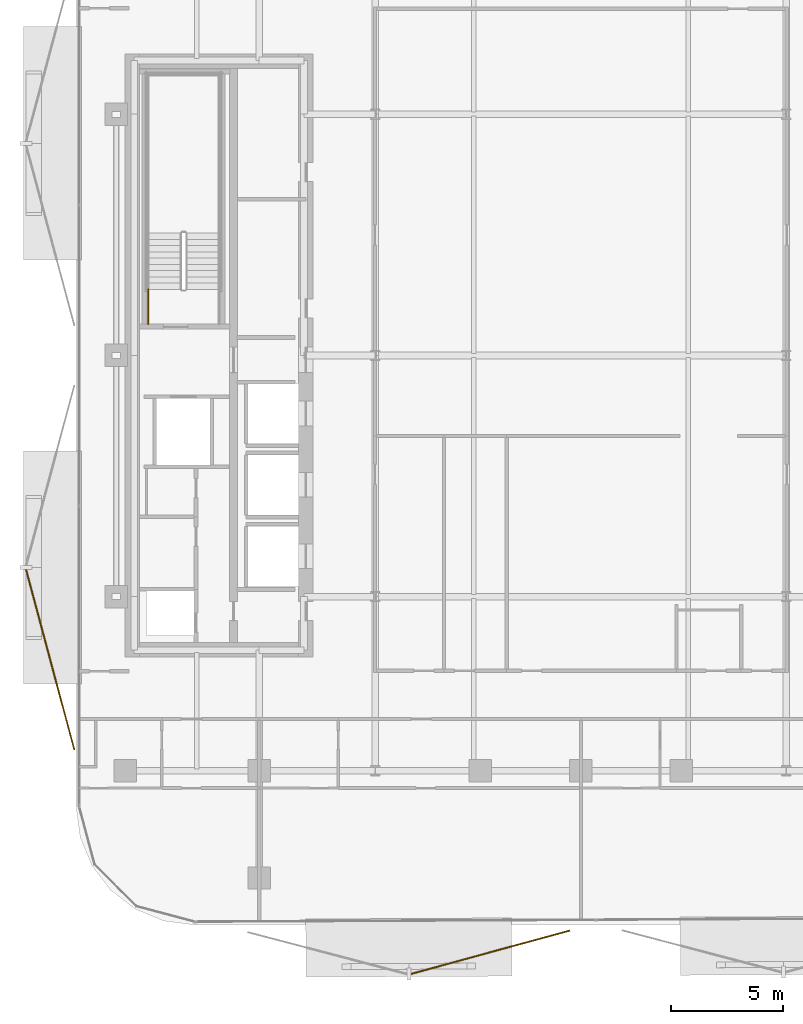
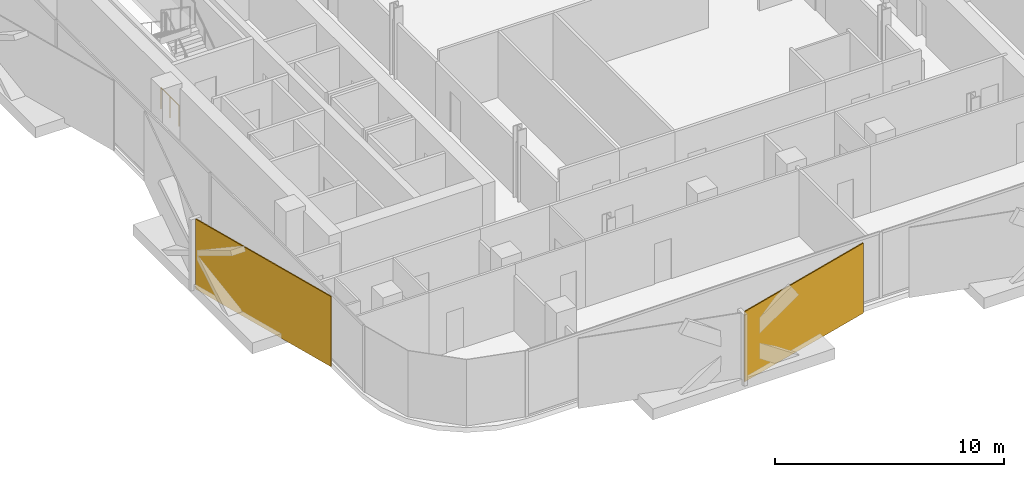
# One storey, part 13 of 17: 2 coverings, 1 railing.
"""IFC4 building model written with IfcOpenShell, lengths in metres."""

from ifc_helpers import new_model, si_unit, direction, frame, origin, origin_2d, place, context, subcontext, project, spatial, rectangle, circle, extrude, material, layer, layer_set, type_object, element, save


model = new_model("IFC4")

# Units and contexts
model_context = context("Model", 3, precision=1e-05, world=origin(), true_north=direction((0.0, 1.0)))
body_context = subcontext(model_context, "Body", "Model", "MODEL_VIEW")
ifc_project = project(units=[si_unit("LENGTHUNIT", "METRE"), si_unit("AREAUNIT", "SQUARE_METRE"), si_unit("VOLUMEUNIT", "CUBIC_METRE"), si_unit("PLANEANGLEUNIT", "RADIAN"), si_unit("MASSUNIT", "GRAM", prefix="KILO")], contexts=[model_context])

# Site, building, storey
site_placement = place(None, origin())
site = spatial("IfcSite", under=ifc_project, at=site_placement, CompositionType="ELEMENT")
building_placement = place(site_placement, origin())
building = spatial("IfcBuilding", under=site, at=building_placement, Name="Khairoan Windgate Tower", CompositionType="ELEMENT")
storey_placement = place(building_placement, frame((0.0, 0.0, 165.0)))
storey = spatial("IfcBuildingStorey", under=building, at=storey_placement, Name="L37", CompositionType="ELEMENT", Elevation=165.0)

# Coverings
ifc_material_1 = material(Name="Anodised Bronze Aluminium 6063-T6", Category="aluminium")
ifc_layer = layer(ifc_material_1, 0.054931640625, Name="Anodised Bronze Aluminium 6063-T6")
ifc_layer_set = layer_set([ifc_layer], Name="Anodised Bronze Aluminium 6063-T6")
covering_type = type_object("IfcCoveringType", Name="Perforated Bronze-Ceramic Folded Solar Screen Cladding BSC-1", PredefinedType="CLADDING", material=ifc_layer_set)
covering_1_placement = place(storey_placement, frame((-4.050048828125, -26.72021484375, -0.10009765625), z_axis=(0.0, 0.0, 1.0), x_axis=(-0.964649468762, -0.263536339841, 0.0)))
element("IfcCovering", 1, at=covering_1_placement, inside=storey, type_object=covering_type, Name="L37 Folded Bronze Solar Screen Facet 234L", PredefinedType="CLADDING", context=body_context, shape_type="SweptSolid", body=[
    extrude(rectangle(XDim=7.3759765625, YDim=0.054931640625, at=origin_2d()), origin(), (0.0, 0.0, 1.0), 3.739990234375),
])
covering_2_placement = place(storey_placement, frame((-23.7587890625, -13.62109375, -0.10009765625), z_axis=(0.0, 0.0, 1.0), x_axis=(-0.258819045103, 0.965925826289, 0.0)))
element("IfcCovering", 2, at=covering_2_placement, inside=storey, type_object=covering_type, Name="L37 Folded Bronze Solar Screen Facet 235L", PredefinedType="CLADDING", context=body_context, shape_type="SweptSolid", body=[
    extrude(rectangle(XDim=8.35595703125, YDim=0.054931640625, at=origin_2d()), origin(), (0.0, 0.0, 1.0), 3.739990234375),
])

# Railing
ifc_material_2 = material(Name="Steel S355", Category="steel")
railing_type = type_object("IfcRailingType", Name="Stairwell Safety Guardrail SGR-1150", PredefinedType="GUARDRAIL", material=ifc_material_2)
railing_placement = place(storey_placement, frame((-19.3701171875, 1.39990234375, 0.0)))
element("IfcRailing", 3, at=railing_placement, inside=storey, type_object=railing_type, Name="L37 ST2 stair guard 9", PredefinedType="GUARDRAIL", context=body_context, shape_type="SweptSolid", body=[
    extrude(circle(Radius=0.02392578125, at=origin_2d()), frame((0.0, 0.0, 1.1259765625), z_axis=(0.0, 1.0, 0.0), x_axis=(-1.0, 0.0, 0.0)), (0.0, 0.0, 1.0), 1.56005859375),
    extrude(circle(Radius=0.02099609375, at=origin_2d()), origin(), (0.0, 0.0, 1.0), 1.101806640625),
    extrude(circle(Radius=0.02099609375, at=origin_2d()), frame((0.0, 0.780029296875, 0.0)), (0.0, 0.0, 1.0), 1.101806640625),
    extrude(circle(Radius=0.02099609375, at=origin_2d()), frame((0.0, 1.56005859375, 0.0)), (0.0, 0.0, 1.0), 1.101806640625),
])

save(model, "model.ifc")
